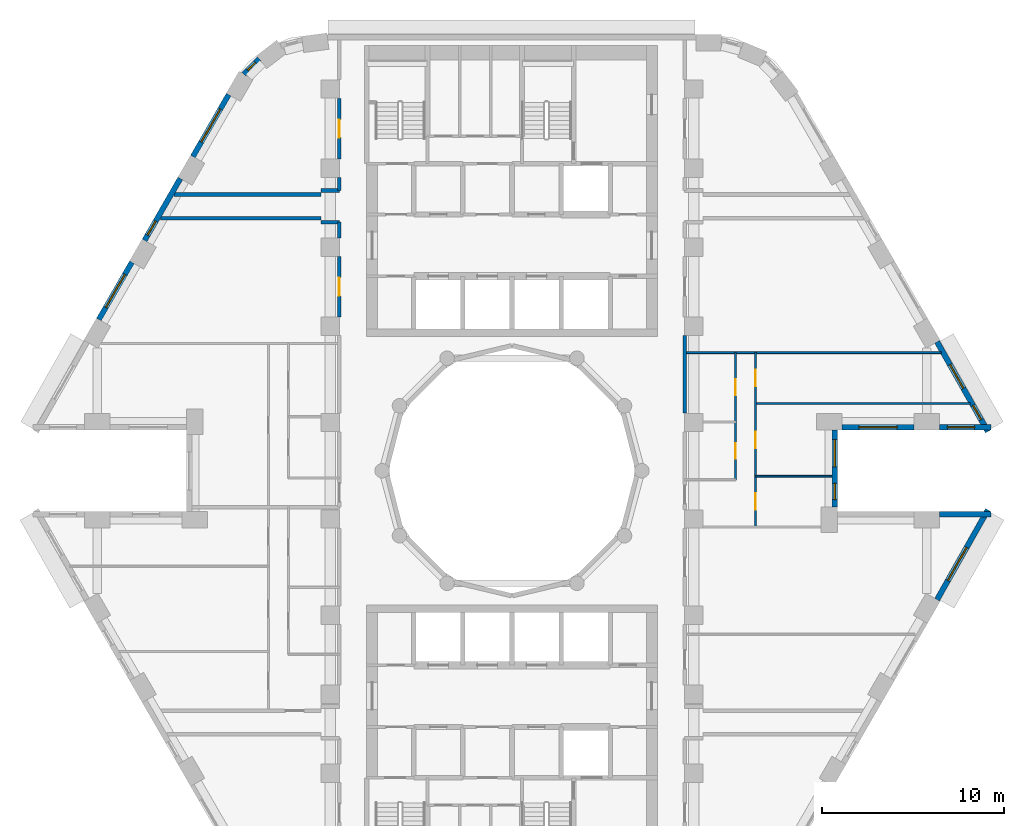
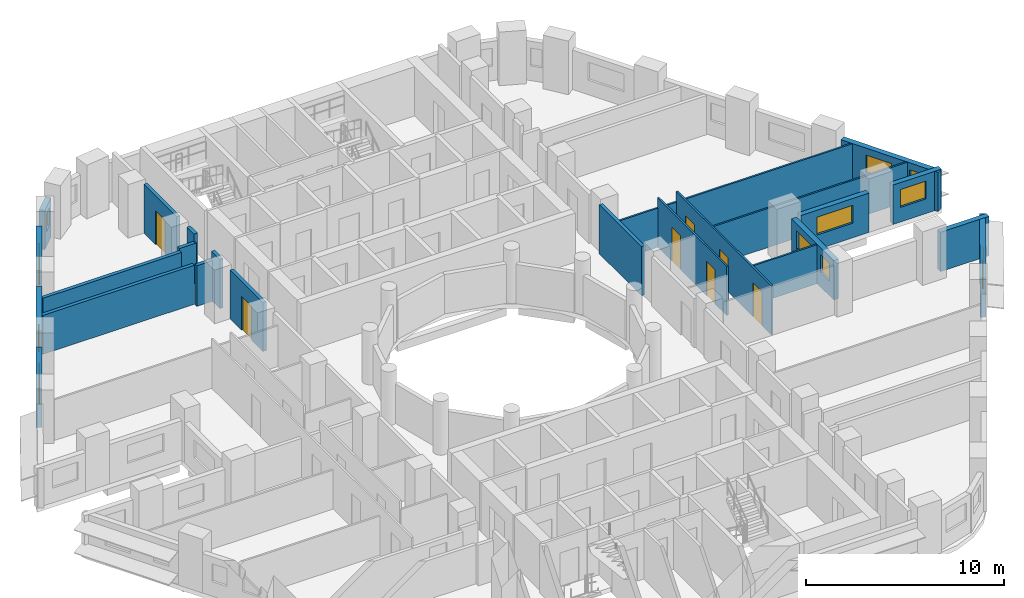
# One storey, part 6 of 12: 24 walls, 11 windows, 7 doors, 18 openings.
"""IFC4 building model written with IfcOpenShell, lengths in metres."""

from ifc_helpers import new_model, si_unit, direction, frame, frame_2d, origin, place, context, subcontext, project, spatial, rectangle, extrude, material, layer, layer_set, type_object, element, fill, save


model = new_model("IFC4")

# Units and contexts
model_context = context("Model", 3, precision=1e-05, world=origin(), true_north=direction((0.0, 1.0)))
body_context = subcontext(model_context, "Body", "Model", "MODEL_VIEW")
ifc_project = project(units=[si_unit("LENGTHUNIT", "METRE"), si_unit("AREAUNIT", "SQUARE_METRE"), si_unit("VOLUMEUNIT", "CUBIC_METRE"), si_unit("PLANEANGLEUNIT", "RADIAN"), si_unit("MASSUNIT", "GRAM", prefix="KILO")], contexts=[model_context])

# Site, building, storey
site_placement = place(None, origin())
site = spatial("IfcSite", under=ifc_project, at=site_placement, CompositionType="ELEMENT")
building_placement = place(site_placement, origin())
building = spatial("IfcBuilding", under=site, at=building_placement, Name="Nakaniwa Court", CompositionType="ELEMENT")
storey_placement = place(building_placement, frame((0.0, 0.0, 104.10009765625)))
storey = spatial("IfcBuildingStorey", under=building, at=storey_placement, Name="L27", CompositionType="ELEMENT", Elevation=104.10009765625)

# Walls
ifc_material_1 = material(Name="Acoustic double stud partition")
ifc_layer_1 = layer(ifc_material_1, 0.199951171875)
ifc_layer_set_1 = layer_set([ifc_layer_1], Name="Acoustic double stud partition")
wall_type_1 = type_object("IfcWallType", Name="Acoustic double stud partition 200", PredefinedType="PARTITIONING", material=ifc_layer_set_1)
wall_1_placement = place(storey_placement, frame((89.5, 83.1669921875, 0.0), z_axis=(0.0, 0.0, 1.0), x_axis=(0.0, 1.0, 0.0)))
element("IfcWall", 1, at=wall_1_placement, inside=storey, type_object=wall_type_1, Name="Partition PW-075", PredefinedType="PARTITIONING", context=body_context, shape_type="SweptSolid", body=[
    extrude(rectangle(XDim=4.26611328125, YDim=0.199951171875, at=frame_2d((2.133056640625, 0.0))), origin(), (0.0, 0.0, 1.0), 3.02490234375),
])
wall_2_placement = place(storey_placement, frame((60.65869140625, 93.89990234375, 0.0), z_axis=(0.0, 0.0, 1.0), x_axis=(1.0, 0.0, 0.0)))
element("IfcWall", 2, at=wall_2_placement, inside=storey, type_object=wall_type_1, Name="Partition PW-081", PredefinedType="PARTITIONING", context=body_context, shape_type="SweptSolid", body=[
    extrude(rectangle(XDim=8.84130859375, YDim=0.199951171875, at=frame_2d((4.420654296875, 0.0))), origin(), (0.0, 0.0, 1.0), 2.40478515625),
])
for number, where, z_axis, x_axis, name in (
    (3, (69.5, 93.675048828125, 0.0), (0.0, 0.0, 1.0), (1.0, 0.0, 0.0), "Partition PW-083"),
    (4, (69.5, 95.425048828125, 0.0), (0.0, 0.0, 1.0), (1.0, 0.0, 0.0), "Partition PW-085"),
):
    element("IfcWall", number, at=place(storey_placement, frame(where, z_axis=z_axis, x_axis=x_axis)), inside=storey, type_object=wall_type_1, Name=name, PredefinedType="PARTITIONING", context=body_context, shape_type="SweptSolid", body=[
        extrude(rectangle(XDim=1.0, YDim=0.199951171875, at=frame_2d((0.5, 0.0))), origin(), (0.0, 0.0, 1.0), 2.5048828125),
    ])
wall_3_placement = place(storey_placement, frame((61.4091796875, 95.199951171875, 0.0), z_axis=(0.0, 0.0, 1.0), x_axis=(1.0, 0.0, 0.0)))
element("IfcWall", 5, at=wall_3_placement, inside=storey, type_object=wall_type_1, Name="Partition PW-087", PredefinedType="PARTITIONING", context=body_context, shape_type="SweptSolid", body=[
    extrude(rectangle(XDim=8.0908203125, YDim=0.199951171875, at=frame_2d((4.04541015625, 0.0))), origin(), (0.0, 0.0, 1.0), 2.40478515625),
])

# Wall, opening, door
wall_4_placement = place(storey_placement, frame((70.5, 88.467041015625, 0.0), z_axis=(0.0, 0.0, 1.0), x_axis=(0.0, 1.0, 0.0)))
wall_4 = element("IfcWall", 6, at=wall_4_placement, inside=storey, type_object=wall_type_1, Name="Partition PW-104", PredefinedType="PARTITIONING", context=body_context, shape_type="SweptSolid", body=[
    extrude(rectangle(XDim=3.31591796875, YDim=0.199951171875, at=frame_2d((1.657958984375, 0.0))), origin(), (0.0, 0.0, 1.0), 3.02490234375),
])
opening_1_placement = place(wall_4_placement, frame((1.157958984375, 0.0, 0.0)))
opening_1 = element("IfcOpeningElement", 7, at=opening_1_placement, cuts=wall_4, Name="Opening D-02-04", PredefinedType="OPENING", context=body_context, shape_type="SweptSolid", body=[
    extrude(rectangle(XDim=1.0, YDim=2.10009765625, at=frame_2d((0.5, 1.050048828125))), frame((0.0, 0.10986328125, 0.0), z_axis=(0.0, -1.0, 0.0), x_axis=(1.0, 0.0, 0.0)), (0.0, 0.0, 1.0), 0.219970703125),
])
ifc_material_2 = material(Name="Solid core timber door set, black veneer", Category="wood")
door_type_1 = type_object("IfcDoorType", Name="Internal door 1000", OperationType="NOTDEFINED", PredefinedType="DOOR", material=ifc_material_2)
door_1_placement = place(opening_1_placement, origin())
door_1 = element("IfcDoor", 8, at=door_1_placement, inside=storey, type_object=door_type_1, Name="Door D-02-04 L27-046", OperationType="SINGLE_SWING_LEFT", OverallHeight=2.10009765625, OverallWidth=1.0, PredefinedType="DOOR", context=body_context, shape_type="SweptSolid", body=[
    extrude(rectangle(XDim=1.0, YDim=2.10009765625, at=frame_2d((0.5, 1.050048828125))), frame((0.0, 0.02490234375, 0.0), z_axis=(0.0, -1.0, 0.0), x_axis=(1.0, 0.0, 0.0)), (0.0, 0.0, 1.0), 0.050048828125),
])
fill(opening_1, door_1)

# Walls
wall_5_placement = place(storey_placement, frame((70.5, 92.81689453125, 0.0), z_axis=(0.0, 0.0, 1.0), x_axis=(0.0, 1.0, 0.0)))
element("IfcWall", 9, at=wall_5_placement, inside=storey, type_object=wall_type_1, Name="Partition PW-105", PredefinedType="PARTITIONING", context=body_context, shape_type="SweptSolid", body=[
    extrude(rectangle(XDim=0.861083984375, YDim=0.199951171875, at=frame_2d((0.4306640625, 0.0))), origin(), (0.0, 0.0, 1.0), 3.02490234375),
])
wall_6_placement = place(storey_placement, frame((70.5, 95.422119140625, 0.0), z_axis=(0.0, 0.0, 1.0), x_axis=(0.0, 1.0, 0.0)))
element("IfcWall", 10, at=wall_6_placement, inside=storey, type_object=wall_type_1, Name="Partition PW-106", PredefinedType="PARTITIONING", context=body_context, shape_type="SweptSolid", body=[
    extrude(rectangle(XDim=0.7109375, YDim=0.199951171875, at=frame_2d((0.35546875, 0.0))), origin(), (0.0, 0.0, 1.0), 3.02490234375),
])

# Wall, opening, door
wall_7_placement = place(storey_placement, frame((70.5, 97.1669921875, 0.0), z_axis=(0.0, 0.0, 1.0), x_axis=(0.0, 1.0, 0.0)))
wall_7 = element("IfcWall", 11, at=wall_7_placement, inside=storey, type_object=wall_type_1, Name="Partition PW-107", PredefinedType="PARTITIONING", context=body_context, shape_type="SweptSolid", body=[
    extrude(rectangle(XDim=3.31591796875, YDim=0.199951171875, at=frame_2d((1.657958984375, 0.0))), origin(), (0.0, 0.0, 1.0), 3.02490234375),
])
opening_2_placement = place(wall_7_placement, frame((1.157958984375, 0.0, 0.0)))
opening_2 = element("IfcOpeningElement", 12, at=opening_2_placement, cuts=wall_7, Name="Opening D-02-08", PredefinedType="OPENING", context=body_context, shape_type="SweptSolid", body=[
    extrude(rectangle(XDim=1.0, YDim=2.10009765625, at=frame_2d((0.5, 1.050048828125))), frame((0.0, 0.10986328125, 0.0), z_axis=(0.0, -1.0, 0.0), x_axis=(1.0, 0.0, 0.0)), (0.0, 0.0, 1.0), 0.219970703125),
])
door_2_placement = place(opening_2_placement, origin())
door_2 = element("IfcDoor", 13, at=door_2_placement, inside=storey, type_object=door_type_1, Name="Door D-02-08 L27-050", OperationType="SINGLE_SWING_LEFT", OverallHeight=2.10009765625, OverallWidth=1.0, PredefinedType="DOOR", context=body_context, shape_type="SweptSolid", body=[
    extrude(rectangle(XDim=1.0, YDim=2.10009765625, at=frame_2d((0.5, 1.050048828125))), frame((0.0, 0.02490234375, 0.0), z_axis=(0.0, -1.0, 0.0), x_axis=(1.0, 0.0, 0.0)), (0.0, 0.0, 1.0), 0.050048828125),
])
fill(opening_2, door_2)

# Wall, opening, window
ifc_material_3 = material(Name="Charcoal ceramic cladding")
ifc_layer_2 = layer(ifc_material_3, 0.02, Name="Ceramic cladding")
ifc_material_4 = material(Name="Ventilated air cavity")
ifc_layer_3 = layer(ifc_material_4, 0.04, ventilated=True, Name="Ventilated cavity")
ifc_material_5 = material(Name="Mineral wool insulation")
ifc_layer_4 = layer(ifc_material_5, 0.1, Name="Insulation")
ifc_material_6 = material(Name="Cement bonded sheathing board")
ifc_layer_5 = layer(ifc_material_6, 0.012, Name="Sheathing")
ifc_material_7 = material(Name="Cold-formed galvanised stud frame with mineral wool infill")
ifc_layer_6 = layer(ifc_material_7, 0.1, Name="Stud frame")
ifc_material_8 = material(Name="Fire-rated gypsum plasterboard lining")
ifc_layer_7 = layer(ifc_material_8, 0.028, Name="Lining")
ifc_layer_set_2 = layer_set([ifc_layer_2, ifc_layer_3, ifc_layer_4, ifc_layer_5, ifc_layer_6, ifc_layer_7], Name="Charcoal ceramic faced external wall system")
wall_type_2 = type_object("IfcWallType", Name="Black ceramic faced external wall 300", PredefinedType="SOLIDWALL", material=ifc_layer_set_2)
wall_8_placement = place(storey_placement, frame((98.154296875, 82.39990234375, 0.0), z_axis=(0.0, 0.0, 1.0), x_axis=(1.0, 0.0, 0.0)))
wall_8 = element("IfcWall", 14, at=wall_8_placement, inside=storey, type_object=wall_type_2, Name="L27 external wall 00", PredefinedType="SOLIDWALL", context=body_context, shape_type="SweptSolid", body=[
    extrude(rectangle(XDim=3.97265625, YDim=0.300048828125, at=frame_2d((1.986328125, 0.0))), origin(), (0.0, 0.0, 1.0), 2.4248046875),
])
opening_3_placement = place(wall_8_placement, frame((0.936279296875, 0.0, 0.89990234375)))
opening_3 = element("IfcOpeningElement", 15, at=opening_3_placement, cuts=wall_8, Name="Opening W7.01", PredefinedType="OPENING", context=body_context, shape_type="SweptSolid", body=[
    extrude(rectangle(XDim=2.10009765625, YDim=1.10009765625, at=frame_2d((1.050048828125, 0.550048828125))), frame((0.0, 0.159912109375, 0.0), z_axis=(0.0, -1.0, 0.0), x_axis=(1.0, 0.0, 0.0)), (0.0, 0.0, 1.0), 0.320068359375),
])
ifc_material_9 = material(Name="Black anodised aluminium frame with dark low-E laminated double glazing", Category="aluminium")
window_type_1 = type_object("IfcWindowType", Name="Dark glass window 2100x1100 sill 900", PartitioningType="SINGLE_PANEL", PredefinedType="WINDOW", material=ifc_material_9)
window_1_placement = place(opening_3_placement, origin())
window_1 = element("IfcWindow", 16, at=window_1_placement, inside=storey, type_object=window_type_1, Name="L27 living window 00-0", OverallHeight=1.10009765625, OverallWidth=2.10009765625, PartitioningType="SINGLE_PANEL", PredefinedType="WINDOW", context=body_context, shape_type="SweptSolid", body=[
    extrude(rectangle(XDim=2.10009765625, YDim=1.10009765625, at=frame_2d((1.050048828125, 0.550048828125))), frame((0.0, 0.030029296875, 0.0), z_axis=(0.0, -1.0, 0.0), x_axis=(1.0, 0.0, 0.0)), (0.0, 0.0, 1.0), 0.06005859375),
])
fill(opening_3, window_1)

wall_9_placement = place(storey_placement, frame((103.518798828125, 82.39990234375, 0.0), z_axis=(0.0, 0.0, 1.0), x_axis=(1.0, 0.0, 0.0)))
wall_9 = element("IfcWall", 17, at=wall_9_placement, inside=storey, type_object=wall_type_2, Name="L27 external wall 01", PredefinedType="SOLIDWALL", context=body_context, shape_type="SweptSolid", body=[
    extrude(rectangle(XDim=2.837890625, YDim=0.300048828125, at=frame_2d((1.4189453125, 0.0))), origin(), (0.0, 0.0, 1.0), 2.4248046875),
])
opening_4_placement = place(wall_9_placement, frame((0.44384765625, 0.0, 0.89990234375)))
opening_4 = element("IfcOpeningElement", 18, at=opening_4_placement, cuts=wall_9, Name="Opening W5.02", PredefinedType="OPENING", context=body_context, shape_type="SweptSolid", body=[
    extrude(rectangle(XDim=1.5, YDim=1.10009765625, at=frame_2d((0.75, 0.550048828125))), frame((0.0, 0.159912109375, 0.0), z_axis=(0.0, -1.0, 0.0), x_axis=(1.0, 0.0, 0.0)), (0.0, 0.0, 1.0), 0.320068359375),
])
window_type_2 = type_object("IfcWindowType", Name="Dark glass window 1500x1100 sill 900", PartitioningType="SINGLE_PANEL", PredefinedType="WINDOW", material=ifc_material_9)
window_2_placement = place(opening_4_placement, origin())
window_2 = element("IfcWindow", 19, at=window_2_placement, inside=storey, type_object=window_type_2, Name="L27 living window 01-0", OverallHeight=1.10009765625, OverallWidth=1.5, PartitioningType="SINGLE_PANEL", PredefinedType="WINDOW", context=body_context, shape_type="SweptSolid", body=[
    extrude(rectangle(XDim=1.5, YDim=1.10009765625, at=frame_2d((0.75, 0.550048828125))), frame((0.0, 0.030029296875, 0.0), z_axis=(0.0, -1.0, 0.0), x_axis=(1.0, 0.0, 0.0)), (0.0, 0.0, 1.0), 0.06005859375),
])
fill(opening_4, window_2)

# Wall, openings, windows
wall_10_placement = place(storey_placement, frame((106.18603515625, 82.1533203125, 0.0), z_axis=(0.0, 0.0, 1.0), x_axis=(-0.492456858874, 0.870336855561, 0.0)))
wall_10 = element("IfcWall", 20, at=wall_10_placement, inside=storey, type_object=wall_type_2, Name="L27 external wall 02", PredefinedType="SOLIDWALL", context=body_context, shape_type="SweptSolid", body=[
    extrude(rectangle(XDim=5.676513671875, YDim=0.300048828125, at=frame_2d((2.83837890625, 0.0))), origin(), (0.0, 0.0, 1.0), 2.4248046875),
])
opening_5_placement = place(wall_10_placement, frame((0.7626953125, 0.0, 0.89990234375)))
opening_5 = element("IfcOpeningElement", 21, at=opening_5_placement, cuts=wall_10, Name="Opening W9.03", PredefinedType="OPENING", context=body_context, shape_type="SweptSolid", body=[
    extrude(rectangle(XDim=0.89990234375, YDim=1.10009765625, at=frame_2d((0.449951171875, 0.550048828125))), frame((0.0, 0.159912109375, 0.0), z_axis=(0.0, -1.0, 0.0), x_axis=(1.0, 0.0, 0.0)), (0.0, 0.0, 1.0), 0.320068359375),
])
opening_6_placement = place(wall_10_placement, frame((2.731689453125, 0.0, 0.89990234375)))
opening_6 = element("IfcOpeningElement", 22, at=opening_6_placement, cuts=wall_10, Name="Opening W5.04", PredefinedType="OPENING", context=body_context, shape_type="SweptSolid", body=[
    extrude(rectangle(XDim=1.5, YDim=1.10009765625, at=frame_2d((0.75, 0.550048828125))), frame((0.0, 0.159912109375, 0.0), z_axis=(0.0, -1.0, 0.0), x_axis=(1.0, 0.0, 0.0)), (0.0, 0.0, 1.0), 0.320068359375),
])
window_3_placement = place(opening_6_placement, origin())
window_3 = element("IfcWindow", 23, at=window_3_placement, inside=storey, type_object=window_type_2, Name="L27 bedroom window 02-1", OverallHeight=1.10009765625, OverallWidth=1.5, PartitioningType="SINGLE_PANEL", PredefinedType="WINDOW", context=body_context, shape_type="SweptSolid", body=[
    extrude(rectangle(XDim=1.5, YDim=1.10009765625, at=frame_2d((0.75, 0.550048828125))), frame((0.0, 0.030029296875, 0.0), z_axis=(0.0, -1.0, 0.0), x_axis=(1.0, 0.0, 0.0)), (0.0, 0.0, 1.0), 0.06005859375),
])
fill(opening_6, window_3)
window_type_3 = type_object("IfcWindowType", Name="Dark glass window 900x1100 sill 900", PartitioningType="SINGLE_PANEL", PredefinedType="WINDOW", material=ifc_material_9)
window_4_placement = place(opening_5_placement, origin())
window_4 = element("IfcWindow", 24, at=window_4_placement, inside=storey, type_object=window_type_3, Name="L27 living window 02-0", OverallHeight=1.10009765625, OverallWidth=0.89990234375, PartitioningType="SINGLE_PANEL", PredefinedType="WINDOW", context=body_context, shape_type="SweptSolid", body=[
    extrude(rectangle(XDim=0.89990234375, YDim=1.10009765625, at=frame_2d((0.449951171875, 0.550048828125))), frame((0.0, 0.030029296875, 0.0), z_axis=(0.0, -1.0, 0.0), x_axis=(1.0, 0.0, 0.0)), (0.0, 0.0, 1.0), 0.06005859375),
])
fill(opening_5, window_4)

# Wall, opening, window
wall_11_placement = place(storey_placement, frame((66.085205078125, 102.66259765625, 0.0), z_axis=(0.0, 0.0, 1.0), x_axis=(-0.708951665509, -0.705257070842, 0.0)))
wall_11 = element("IfcWall", 25, at=wall_11_placement, inside=storey, type_object=wall_type_2, Name="L27 external wall 10", PredefinedType="SOLIDWALL", context=body_context, shape_type="SweptSolid", body=[
    extrude(rectangle(XDim=1.189453125, YDim=0.300048828125, at=frame_2d((0.5947265625, 0.0))), origin(), (0.0, 0.0, 1.0), 2.4248046875),
])
opening_7_placement = place(wall_11_placement, frame((0.284423828125, 0.0, 0.89990234375)))
opening_7 = element("IfcOpeningElement", 26, at=opening_7_placement, cuts=wall_11, Name="Opening W8.11", PredefinedType="OPENING", context=body_context, shape_type="SweptSolid", body=[
    extrude(rectangle(XDim=0.60009765625, YDim=1.10009765625, at=frame_2d((0.300048828125, 0.550048828125))), frame((0.0, 0.159912109375, 0.0), z_axis=(0.0, -1.0, 0.0), x_axis=(1.0, 0.0, 0.0)), (0.0, 0.0, 1.0), 0.320068359375),
])
window_type_4 = type_object("IfcWindowType", Name="Dark glass window 600x1100 sill 900", PartitioningType="SINGLE_PANEL", PredefinedType="WINDOW", material=ifc_material_9)
window_5_placement = place(opening_7_placement, origin())
window_5 = element("IfcWindow", 27, at=window_5_placement, inside=storey, type_object=window_type_4, Name="L27 habitable room window 10-0", OverallHeight=1.10009765625, OverallWidth=0.60009765625, PartitioningType="SINGLE_PANEL", PredefinedType="WINDOW", context=body_context, shape_type="SweptSolid", body=[
    extrude(rectangle(XDim=0.60009765625, YDim=1.10009765625, at=frame_2d((0.300048828125, 0.550048828125))), frame((0.0, 0.030029296875, 0.0), z_axis=(0.0, -1.0, 0.0), x_axis=(1.0, 0.0, 0.0)), (0.0, 0.0, 1.0), 0.06005859375),
])
fill(opening_7, window_5)

wall_12_placement = place(storey_placement, frame((64.40966796875, 100.69677734375, 0.0), z_axis=(0.0, 0.0, 1.0), x_axis=(-0.500003583557, -0.866023334807, 0.0)))
wall_12 = element("IfcWall", 28, at=wall_12_placement, inside=storey, type_object=wall_type_2, Name="L27 external wall 11", PredefinedType="SOLIDWALL", context=body_context, shape_type="SweptSolid", body=[
    extrude(rectangle(XDim=3.93408203125, YDim=0.300048828125, at=frame_2d((1.967041015625, 0.0))), origin(), (0.0, 0.0, 1.0), 2.4248046875),
])
opening_8_placement = place(wall_12_placement, frame((0.9169921875, 0.0, 0.89990234375)))
opening_8 = element("IfcOpeningElement", 29, at=opening_8_placement, cuts=wall_12, Name="Opening W7.12", PredefinedType="OPENING", context=body_context, shape_type="SweptSolid", body=[
    extrude(rectangle(XDim=2.10009765625, YDim=1.10009765625, at=frame_2d((1.050048828125, 0.550048828125))), frame((0.0, 0.159912109375, 0.0), z_axis=(0.0, -1.0, 0.0), x_axis=(1.0, 0.0, 0.0)), (0.0, 0.0, 1.0), 0.320068359375),
])
window_6_placement = place(opening_8_placement, origin())
window_6 = element("IfcWindow", 30, at=window_6_placement, inside=storey, type_object=window_type_1, Name="L27 habitable room window 11-0", OverallHeight=1.10009765625, OverallWidth=2.10009765625, PartitioningType="SINGLE_PANEL", PredefinedType="WINDOW", context=body_context, shape_type="SweptSolid", body=[
    extrude(rectangle(XDim=2.10009765625, YDim=1.10009765625, at=frame_2d((1.050048828125, 0.550048828125))), frame((0.0, 0.030029296875, 0.0), z_axis=(0.0, -1.0, 0.0), x_axis=(1.0, 0.0, 0.0)), (0.0, 0.0, 1.0), 0.06005859375),
])
fill(opening_8, window_6)

wall_13_placement = place(storey_placement, frame((61.74658203125, 96.08447265625, 0.0), z_axis=(0.0, 0.0, 1.0), x_axis=(-0.499957037901, -0.866050206543, 0.0)))
wall_13 = element("IfcWall", 31, at=wall_13_placement, inside=storey, type_object=wall_type_2, Name="L27 external wall 12", PredefinedType="SOLIDWALL", context=body_context, shape_type="SweptSolid", body=[
    extrude(rectangle(XDim=3.933837890625, YDim=0.300048828125, at=frame_2d((1.966796875, 0.0))), origin(), (0.0, 0.0, 1.0), 2.4248046875),
])
opening_9_placement = place(wall_13_placement, frame((2.7041015625, 0.0, 0.89990234375)))
opening_9 = element("IfcOpeningElement", 32, at=opening_9_placement, cuts=wall_13, Name="Opening W9.13", PredefinedType="OPENING", context=body_context, shape_type="SweptSolid", body=[
    extrude(rectangle(XDim=0.89990234375, YDim=1.10009765625, at=frame_2d((0.449951171875, 0.550048828125))), frame((0.0, 0.159912109375, 0.0), z_axis=(0.0, -1.0, 0.0), x_axis=(1.0, 0.0, 0.0)), (0.0, 0.0, 1.0), 0.320068359375),
])
window_7_placement = place(opening_9_placement, origin())
window_7 = element("IfcWindow", 33, at=window_7_placement, inside=storey, type_object=window_type_3, Name="L27 habitable room window 12-2", OverallHeight=1.10009765625, OverallWidth=0.89990234375, PartitioningType="SINGLE_PANEL", PredefinedType="WINDOW", context=body_context, shape_type="SweptSolid", body=[
    extrude(rectangle(XDim=0.89990234375, YDim=1.10009765625, at=frame_2d((0.449951171875, 0.550048828125))), frame((0.0, 0.030029296875, 0.0), z_axis=(0.0, -1.0, 0.0), x_axis=(1.0, 0.0, 0.0)), (0.0, 0.0, 1.0), 0.06005859375),
])
fill(opening_9, window_7)

wall_14_placement = place(storey_placement, frame((59.083740234375, 91.471923828125, 0.0), z_axis=(0.0, 0.0, 1.0), x_axis=(-0.500009139881, -0.866020126807, 0.0)))
wall_14 = element("IfcWall", 34, at=wall_14_placement, inside=storey, type_object=wall_type_2, Name="L27 external wall 13", PredefinedType="SOLIDWALL", context=body_context, shape_type="SweptSolid", body=[
    extrude(rectangle(XDim=3.63671875, YDim=0.300048828125, at=frame_2d((1.818359375, 0.0))), origin(), (0.0, 0.0, 1.0), 2.4248046875),
])
opening_10_placement = place(wall_14_placement, frame((0.768310546875, 0.0, 0.89990234375)))
opening_10 = element("IfcOpeningElement", 35, at=opening_10_placement, cuts=wall_14, Name="Opening W7.14", PredefinedType="OPENING", context=body_context, shape_type="SweptSolid", body=[
    extrude(rectangle(XDim=2.10009765625, YDim=1.10009765625, at=frame_2d((1.050048828125, 0.550048828125))), frame((0.0, 0.159912109375, 0.0), z_axis=(0.0, -1.0, 0.0), x_axis=(1.0, 0.0, 0.0)), (0.0, 0.0, 1.0), 0.320068359375),
])
window_8_placement = place(opening_10_placement, origin())
window_8 = element("IfcWindow", 36, at=window_8_placement, inside=storey, type_object=window_type_1, Name="L27 habitable room window 13-0", OverallHeight=1.10009765625, OverallWidth=2.10009765625, PartitioningType="SINGLE_PANEL", PredefinedType="WINDOW", context=body_context, shape_type="SweptSolid", body=[
    extrude(rectangle(XDim=2.10009765625, YDim=1.10009765625, at=frame_2d((1.050048828125, 0.550048828125))), frame((0.0, 0.030029296875, 0.0), z_axis=(0.0, -1.0, 0.0), x_axis=(1.0, 0.0, 0.0)), (0.0, 0.0, 1.0), 0.06005859375),
])
fill(opening_10, window_8)

wall_15_placement = place(storey_placement, frame((103.390625, 72.90625, 0.0), z_axis=(0.0, 0.0, 1.0), x_axis=(0.492456858874, 0.870336855561, 0.0)))
wall_15 = element("IfcWall", 37, at=wall_15_placement, inside=storey, type_object=wall_type_2, Name="L27 external wall 32", PredefinedType="SOLIDWALL", context=body_context, shape_type="SweptSolid", body=[
    extrude(rectangle(XDim=5.676513671875, YDim=0.300048828125, at=frame_2d((2.83837890625, 0.0))), origin(), (0.0, 0.0, 1.0), 2.4248046875),
])
opening_11_placement = place(wall_15_placement, frame((1.208984375, 0.0, 0.89990234375)))
opening_11 = element("IfcOpeningElement", 38, at=opening_11_placement, cuts=wall_15, Name="Opening W7.34", PredefinedType="OPENING", context=body_context, shape_type="SweptSolid", body=[
    extrude(rectangle(XDim=2.10009765625, YDim=1.10009765625, at=frame_2d((1.050048828125, 0.550048828125))), frame((0.0, 0.159912109375, 0.0), z_axis=(0.0, -1.0, 0.0), x_axis=(1.0, 0.0, 0.0)), (0.0, 0.0, 1.0), 0.320068359375),
])
window_9_placement = place(opening_11_placement, origin())
window_9 = element("IfcWindow", 39, at=window_9_placement, inside=storey, type_object=window_type_1, Name="L27 habitable room window 32-0", OverallHeight=1.10009765625, OverallWidth=2.10009765625, PartitioningType="SINGLE_PANEL", PredefinedType="WINDOW", context=body_context, shape_type="SweptSolid", body=[
    extrude(rectangle(XDim=2.10009765625, YDim=1.10009765625, at=frame_2d((1.050048828125, 0.550048828125))), frame((0.0, 0.030029296875, 0.0), z_axis=(0.0, -1.0, 0.0), x_axis=(1.0, 0.0, 0.0)), (0.0, 0.0, 1.0), 0.06005859375),
])
fill(opening_11, window_9)

# Wall
wall_16_placement = place(storey_placement, frame((106.356689453125, 77.60009765625, 0.0), z_axis=(0.0, 0.0, 1.0), x_axis=(-1.0, 0.0, 0.0)))
element("IfcWall", 40, at=wall_16_placement, inside=storey, type_object=wall_type_2, Name="L27 external wall 33", PredefinedType="SOLIDWALL", context=body_context, shape_type="SweptSolid", body=[
    extrude(rectangle(XDim=2.837890625, YDim=0.300048828125, at=frame_2d((1.4189453125, 0.0))), origin(), (0.0, 0.0, 1.0), 2.4248046875),
])

# Wall, openings, windows
wall_17_placement = place(storey_placement, frame((97.75830078125, 77.99609375, 0.0), z_axis=(0.0, 0.0, 1.0), x_axis=(0.0, 1.0, 0.0)))
wall_17 = element("IfcWall", 41, at=wall_17_placement, inside=storey, type_object=wall_type_2, Name="L27 external wall 35", PredefinedType="SOLIDWALL", context=body_context, shape_type="SweptSolid", body=[
    extrude(rectangle(XDim=4.2578125, YDim=0.300048828125, at=frame_2d((2.12890625, 0.0))), origin(), (0.0, 0.0, 1.0), 2.4248046875),
])
opening_12_placement = place(wall_17_placement, frame((0.4140625, 0.0, 0.89990234375)))
opening_12 = element("IfcOpeningElement", 42, at=opening_12_placement, cuts=wall_17, Name="Opening W9.35", PredefinedType="OPENING", context=body_context, shape_type="SweptSolid", body=[
    extrude(rectangle(XDim=0.89990234375, YDim=1.10009765625, at=frame_2d((0.449951171875, 0.550048828125))), frame((0.0, 0.159912109375, 0.0), z_axis=(0.0, -1.0, 0.0), x_axis=(1.0, 0.0, 0.0)), (0.0, 0.0, 1.0), 0.320068359375),
])
opening_13_placement = place(wall_17_placement, frame((2.218994140625, 0.0, 0.89990234375)))
opening_13 = element("IfcOpeningElement", 43, at=opening_13_placement, cuts=wall_17, Name="Opening W5.36", PredefinedType="OPENING", context=body_context, shape_type="SweptSolid", body=[
    extrude(rectangle(XDim=1.5, YDim=1.10009765625, at=frame_2d((0.75, 0.550048828125))), frame((0.0, 0.159912109375, 0.0), z_axis=(0.0, -1.0, 0.0), x_axis=(1.0, 0.0, 0.0)), (0.0, 0.0, 1.0), 0.320068359375),
])
window_10_placement = place(opening_13_placement, origin())
window_10 = element("IfcWindow", 44, at=window_10_placement, inside=storey, type_object=window_type_2, Name="L27 living window 35-1", OverallHeight=1.10009765625, OverallWidth=1.5, PartitioningType="SINGLE_PANEL", PredefinedType="WINDOW", context=body_context, shape_type="SweptSolid", body=[
    extrude(rectangle(XDim=1.5, YDim=1.10009765625, at=frame_2d((0.75, 0.550048828125))), frame((0.0, 0.030029296875, 0.0), z_axis=(0.0, -1.0, 0.0), x_axis=(1.0, 0.0, 0.0)), (0.0, 0.0, 1.0), 0.06005859375),
])
fill(opening_13, window_10)
window_11_placement = place(opening_12_placement, origin())
window_11 = element("IfcWindow", 45, at=window_11_placement, inside=storey, type_object=window_type_3, Name="L27 bedroom window 35-0", OverallHeight=1.10009765625, OverallWidth=0.89990234375, PartitioningType="SINGLE_PANEL", PredefinedType="WINDOW", context=body_context, shape_type="SweptSolid", body=[
    extrude(rectangle(XDim=0.89990234375, YDim=1.10009765625, at=frame_2d((0.449951171875, 0.550048828125))), frame((0.0, 0.030029296875, 0.0), z_axis=(0.0, -1.0, 0.0), x_axis=(1.0, 0.0, 0.0)), (0.0, 0.0, 1.0), 0.06005859375),
])
fill(opening_12, window_11)

# Wall, openings, doors
ifc_material_10 = material(Name="Single stud plasterboard partition")
ifc_layer_8 = layer(ifc_material_10, 0.10009765625)
ifc_layer_set_3 = layer_set([ifc_layer_8], Name="Single stud plasterboard partition")
wall_type_3 = type_object("IfcWallType", Name="Single stud plasterboard partition 100", PredefinedType="PARTITIONING", material=ifc_layer_set_3)
wall_18_placement = place(storey_placement, frame((92.300048828125, 79.5, 0.0), z_axis=(0.0, 0.0, 1.0), x_axis=(0.0, 1.0, 0.0)))
wall_18 = element("IfcWall", 46, at=wall_18_placement, inside=storey, type_object=wall_type_3, Name="Partition PW-113", PredefinedType="PARTITIONING", context=body_context, shape_type="SweptSolid", body=[
    extrude(rectangle(XDim=7.0, YDim=0.10009765625, at=frame_2d((3.5, 0.0))), origin(), (0.0, 0.0, 1.0), 3.02490234375),
])
opening_14_placement = place(wall_18_placement, frame((1.166015625, 0.0, 0.0)))
opening_14 = element("IfcOpeningElement", 47, at=opening_14_placement, cuts=wall_18, Name="Opening D-03-01", PredefinedType="OPENING", context=body_context, shape_type="SweptSolid", body=[
    extrude(rectangle(XDim=0.85009765625, YDim=2.10009765625, at=frame_2d((0.425048828125, 1.050048828125))), frame((0.0, 0.06005859375, 0.0), z_axis=(0.0, -1.0, 0.0), x_axis=(1.0, 0.0, 0.0)), (0.0, 0.0, 1.0), 0.1201171875),
])
opening_15_placement = place(wall_18_placement, frame((4.64111328125, 0.0, 0.0)))
opening_15 = element("IfcOpeningElement", 48, at=opening_15_placement, cuts=wall_18, Name="Opening D-33-01", PredefinedType="OPENING", context=body_context, shape_type="SweptSolid", body=[
    extrude(rectangle(XDim=0.89990234375, YDim=2.10009765625, at=frame_2d((0.449951171875, 1.050048828125))), frame((0.0, 0.06005859375, 0.0), z_axis=(0.0, -1.0, 0.0), x_axis=(1.0, 0.0, 0.0)), (0.0, 0.0, 1.0), 0.1201171875),
])
ifc_material_11 = material(Name="Moisture sealed timber door set", Category="wood")
door_type_2 = type_object("IfcDoorType", Name="Bathroom door 850", OperationType="NOTDEFINED", PredefinedType="DOOR", material=ifc_material_11)
door_3_placement = place(opening_14_placement, origin())
door_3 = element("IfcDoor", 49, at=door_3_placement, inside=storey, type_object=door_type_2, Name="Door D-03-01 L27-029", OperationType="SINGLE_SWING_RIGHT", OverallHeight=2.10009765625, OverallWidth=0.85009765625, PredefinedType="DOOR", context=body_context, shape_type="SweptSolid", body=[
    extrude(rectangle(XDim=0.85009765625, YDim=2.10009765625, at=frame_2d((0.425048828125, 1.050048828125))), frame((0.0, 0.02490234375, 0.0), z_axis=(0.0, -1.0, 0.0), x_axis=(1.0, 0.0, 0.0)), (0.0, 0.0, 1.0), 0.050048828125),
])
fill(opening_14, door_3)
door_type_3 = type_object("IfcDoorType", Name="Internal door 900", OperationType="NOTDEFINED", PredefinedType="DOOR", material=ifc_material_2)
door_4_placement = place(opening_15_placement, origin())
door_4 = element("IfcDoor", 50, at=door_4_placement, inside=storey, type_object=door_type_3, Name="Door D-33-01 L27-030", OperationType="SINGLE_SWING_LEFT", OverallHeight=2.10009765625, OverallWidth=0.89990234375, PredefinedType="DOOR", context=body_context, shape_type="SweptSolid", body=[
    extrude(rectangle(XDim=0.89990234375, YDim=2.10009765625, at=frame_2d((0.449951171875, 1.050048828125))), frame((0.0, 0.02490234375, 0.0), z_axis=(0.0, -1.0, 0.0), x_axis=(1.0, 0.0, 0.0)), (0.0, 0.0, 1.0), 0.050048828125),
])
fill(opening_15, door_4)

# Wall
wall_19_placement = place(storey_placement, frame((89.5, 86.5, 0.0), z_axis=(0.0, 0.0, 1.0), x_axis=(1.0, 0.0, 0.0)))
element("IfcWall", 51, at=wall_19_placement, inside=storey, type_object=wall_type_3, Name="Partition PW-114", PredefinedType="PARTITIONING", context=body_context, shape_type="SweptSolid", body=[
    extrude(rectangle(XDim=14.113525390625, YDim=0.10009765625, at=frame_2d((7.056640625, 0.0))), origin(), (0.0, 0.0, 1.0), 2.40478515625),
])

# Wall, openings, doors
wall_20_placement = place(storey_placement, frame((93.39990234375, 86.5, 0.0), z_axis=(0.0, 0.0, 1.0), x_axis=(0.0, -1.0, 0.0)))
wall_20 = element("IfcWall", 52, at=wall_20_placement, inside=storey, type_object=wall_type_3, Name="Partition PW-115", PredefinedType="PARTITIONING", context=body_context, shape_type="SweptSolid", body=[
    extrude(rectangle(XDim=9.60009765625, YDim=0.10009765625, at=frame_2d((4.800048828125, 0.0))), origin(), (0.0, 0.0, 1.0), 3.02490234375),
])
opening_16_placement = place(wall_20_placement, frame((7.75, 0.0, 0.0)))
opening_16 = element("IfcOpeningElement", 53, at=opening_16_placement, cuts=wall_20, Name="Opening D-33-02", PredefinedType="OPENING", context=body_context, shape_type="SweptSolid", body=[
    extrude(rectangle(XDim=0.89990234375, YDim=2.10009765625, at=frame_2d((0.449951171875, 1.050048828125))), frame((0.0, 0.06005859375, 0.0), z_axis=(0.0, -1.0, 0.0), x_axis=(1.0, 0.0, 0.0)), (0.0, 0.0, 1.0), 0.1201171875),
])
opening_17_placement = place(wall_20_placement, frame((4.35009765625, 0.0, 0.0)))
opening_17 = element("IfcOpeningElement", 54, at=opening_17_placement, cuts=wall_20, Name="Opening D-33-03", PredefinedType="OPENING", context=body_context, shape_type="SweptSolid", body=[
    extrude(rectangle(XDim=0.89990234375, YDim=2.10009765625, at=frame_2d((0.449951171875, 1.050048828125))), frame((0.0, 0.06005859375, 0.0), z_axis=(0.0, -1.0, 0.0), x_axis=(1.0, 0.0, 0.0)), (0.0, 0.0, 1.0), 0.1201171875),
])
opening_18_placement = place(wall_20_placement, frame((0.949951171875, 0.0, 0.0)))
opening_18 = element("IfcOpeningElement", 55, at=opening_18_placement, cuts=wall_20, Name="Opening D-33-04", PredefinedType="OPENING", context=body_context, shape_type="SweptSolid", body=[
    extrude(rectangle(XDim=0.89990234375, YDim=2.10009765625, at=frame_2d((0.449951171875, 1.050048828125))), frame((0.0, 0.06005859375, 0.0), z_axis=(0.0, -1.0, 0.0), x_axis=(1.0, 0.0, 0.0)), (0.0, 0.0, 1.0), 0.1201171875),
])
door_5_placement = place(opening_16_placement, origin())
door_5 = element("IfcDoor", 56, at=door_5_placement, inside=storey, type_object=door_type_3, Name="Door D-33-02 L27-031", OperationType="SINGLE_SWING_RIGHT", OverallHeight=2.10009765625, OverallWidth=0.89990234375, PredefinedType="DOOR", context=body_context, shape_type="SweptSolid", body=[
    extrude(rectangle(XDim=0.89990234375, YDim=2.10009765625, at=frame_2d((0.449951171875, 1.050048828125))), frame((0.0, 0.02490234375, 0.0), z_axis=(0.0, -1.0, 0.0), x_axis=(1.0, 0.0, 0.0)), (0.0, 0.0, 1.0), 0.050048828125),
])
fill(opening_16, door_5)
door_6_placement = place(opening_17_placement, origin())
door_6 = element("IfcDoor", 57, at=door_6_placement, inside=storey, type_object=door_type_3, Name="Door D-33-03 L27-032", OperationType="SINGLE_SWING_LEFT", OverallHeight=2.10009765625, OverallWidth=0.89990234375, PredefinedType="DOOR", context=body_context, shape_type="SweptSolid", body=[
    extrude(rectangle(XDim=0.89990234375, YDim=2.10009765625, at=frame_2d((0.449951171875, 1.050048828125))), frame((0.0, 0.02490234375, 0.0), z_axis=(0.0, -1.0, 0.0), x_axis=(1.0, 0.0, 0.0)), (0.0, 0.0, 1.0), 0.050048828125),
])
fill(opening_17, door_6)
door_7_placement = place(opening_18_placement, origin())
door_7 = element("IfcDoor", 58, at=door_7_placement, inside=storey, type_object=door_type_3, Name="Door D-33-04 L27-033", OperationType="SINGLE_SWING_RIGHT", OverallHeight=2.10009765625, OverallWidth=0.89990234375, PredefinedType="DOOR", context=body_context, shape_type="SweptSolid", body=[
    extrude(rectangle(XDim=0.89990234375, YDim=2.10009765625, at=frame_2d((0.449951171875, 1.050048828125))), frame((0.0, 0.02490234375, 0.0), z_axis=(0.0, -1.0, 0.0), x_axis=(1.0, 0.0, 0.0)), (0.0, 0.0, 1.0), 0.050048828125),
])
fill(opening_18, door_7)

# Walls
wall_21_placement = place(storey_placement, frame((93.39990234375, 79.699951171875, 0.0), z_axis=(0.0, 0.0, 1.0), x_axis=(1.0, 0.0, 0.0)))
element("IfcWall", 59, at=wall_21_placement, inside=storey, type_object=wall_type_3, Name="Partition PW-116", PredefinedType="PARTITIONING", context=body_context, shape_type="SweptSolid", body=[
    extrude(rectangle(XDim=4.20849609375, YDim=0.10009765625, at=frame_2d((2.104248046875, 0.0))), origin(), (0.0, 0.0, 1.0), 2.40478515625),
])
wall_22_placement = place(storey_placement, frame((93.39990234375, 83.699951171875, 0.0), z_axis=(0.0, 0.0, 1.0), x_axis=(1.0, 0.0, 0.0)))
element("IfcWall", 60, at=wall_22_placement, inside=storey, type_object=wall_type_3, Name="Partition PW-117", PredefinedType="PARTITIONING", context=body_context, shape_type="SweptSolid", body=[
    extrude(rectangle(XDim=11.830322265625, YDim=0.10009765625, at=frame_2d((5.9150390625, 0.0))), origin(), (0.0, 0.0, 1.0), 2.40478515625),
])

save(model, "model.ifc")
